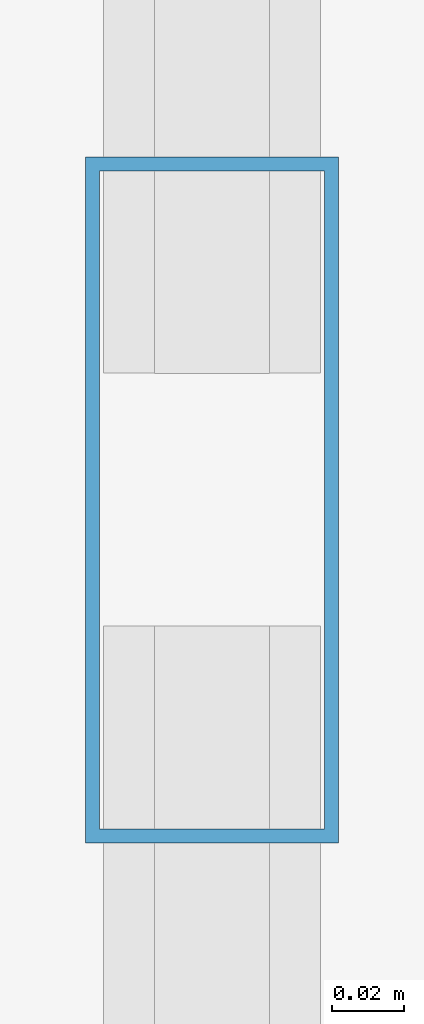
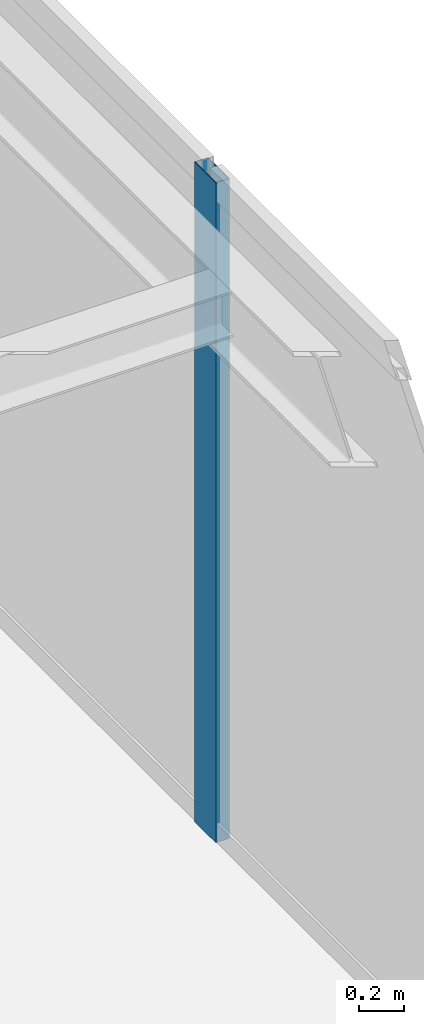
# One storey, part 20 of 36: 1 member, 1 element without a shape of its own.
"""IFC4 building model written with IfcOpenShell, lengths in metres."""

from ifc_helpers import new_model, si_unit, direction, frame, origin, origin_2d, place, context, subcontext, project, spatial, hollow_rectangle, extrude, source, transform, mapped, material, layer, layer_set, material_profile, profile_set, type_object, type_shapes, element, aggregate, save


model = new_model("IFC4")

# Units and contexts
model_context = context("Model", 3, precision=1e-05, world=origin(), true_north=direction((0.0, 1.0)))
body_context = subcontext(model_context, "Body", "Model", "MODEL_VIEW")
ifc_project = project(units=[si_unit("LENGTHUNIT", "METRE"), si_unit("AREAUNIT", "SQUARE_METRE"), si_unit("VOLUMEUNIT", "CUBIC_METRE"), si_unit("PLANEANGLEUNIT", "RADIAN"), si_unit("MASSUNIT", "GRAM", prefix="KILO")], contexts=[model_context])

# Site, building, storey
site_placement = place(None, origin())
site = spatial("IfcSite", under=ifc_project, at=site_placement, CompositionType="ELEMENT")
building_placement = place(site_placement, origin())
building = spatial("IfcBuilding", under=site, at=building_placement, Name="Varnel Quay Broadcast Tower", CompositionType="ELEMENT")
storey_placement = place(building_placement, frame((0.0, 0.0, 114.39990234375)))
storey = spatial("IfcBuildingStorey", under=building, at=storey_placement, Name="L27", CompositionType="ELEMENT", Elevation=114.39990234375)

# Curtain wall, member
ifc_material = material(Name="Anodised Bronze Aluminium 6063-T6", Category="aluminium")
ifc_layer = layer(ifc_material, 0.18994140625, Name="Anodised Bronze Aluminium 6063-T6")
ifc_layer_set = layer_set([ifc_layer], Name="Anodised Bronze Aluminium 6063-T6")
curtain_wall_type = type_object("IfcCurtainWallType", Name="CW_LowerTower", PredefinedType="NOTDEFINED", material=ifc_layer_set)
curtain_wall_placement = place(storey_placement, origin())
curtain_wall = element("IfcCurtainWall", 1, at=curtain_wall_placement, inside=storey, type_object=curtain_wall_type, Name="L27 East Unitised Curtain Wall", PredefinedType="NOTDEFINED")
ifc_material_profile = material_profile(ifc_material, hollow_rectangle(XDim=0.070068359375, YDim=0.18994140625, WallThickness=0.00390625, at=origin_2d()), Name="ALU70X190X4")
ifc_profile_set = profile_set([ifc_material_profile], Name="Anodised Bronze Aluminium 6063-T6")
member_type = type_object("IfcMemberType", Name="Mull_CWS-02", PredefinedType="MULLION", material=ifc_profile_set)
shared_shape = source(origin(), body_context, "Body", "SweptSolid", [
    extrude(hollow_rectangle(XDim=0.070068359375, YDim=0.18994140625, WallThickness=0.00390625, at=origin_2d()), origin(), (0.0, 0.0, 1.0), 3.550048828125),
])
type_shapes(member_type, [shared_shape])
member_placement = place(storey_placement, frame((63.35009765625, 31.39990234375, 0.0), z_axis=(0.0, 0.0, 1.0), x_axis=(-1.0, 0.0, 0.0)))
member = element("IfcMember", 2, at=member_placement, type_object=member_type, Name="CWS-02 mullion 3", PredefinedType="MULLION", context=body_context, shape_type="MappedRepresentation", body=[
    mapped(shared_shape, transform((0.0, 0.0, 0.0), x_axis=(1.0, 0.0, 0.0), y_axis=(0.0, 1.0, 0.0), z_axis=(0.0, 0.0, 1.0), scale=1.0)),
])
aggregate(curtain_wall, [member])

save(model, "model.ifc")
